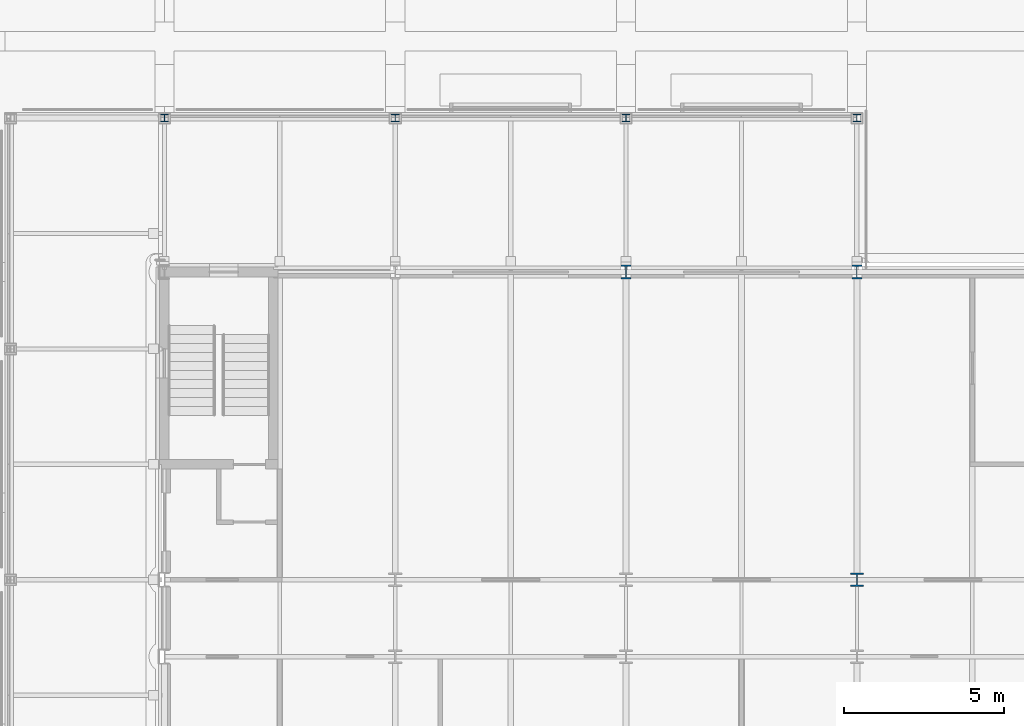
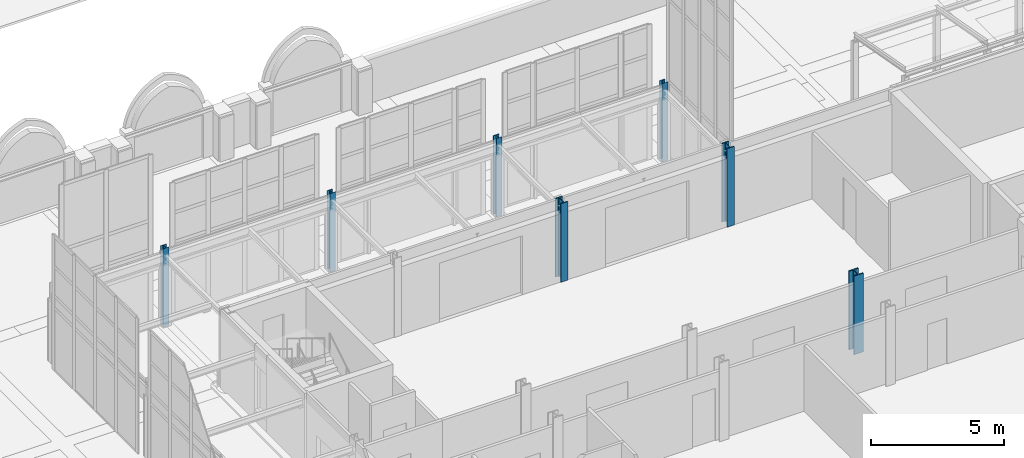
# One storey, part 15 of 143: 7 columns.
"""IFC4 building model written with IfcOpenShell, lengths in metres."""

from ifc_helpers import new_model, si_unit, direction, frame, origin, origin_2d, place, context, subcontext, project, spatial, i_section, extrude, material, material_profile, profile_set, type_object, element, save


model = new_model("IFC4")

# Units and contexts
model_context = context("Model", 3, precision=1e-05, world=origin(), true_north=direction((0.0, 1.0)))
body_context = subcontext(model_context, "Body", "Model", "MODEL_VIEW")
ifc_project = project(units=[si_unit("LENGTHUNIT", "METRE"), si_unit("AREAUNIT", "SQUARE_METRE"), si_unit("VOLUMEUNIT", "CUBIC_METRE"), si_unit("PLANEANGLEUNIT", "RADIAN"), si_unit("MASSUNIT", "GRAM", prefix="KILO")], contexts=[model_context])

# Site, building, storey
site_placement = place(None, origin())
site = spatial("IfcSite", under=ifc_project, at=site_placement, CompositionType="ELEMENT")
building_placement = place(site_placement, origin())
building = spatial("IfcBuilding", under=site, at=building_placement, Name="Kupolbacken Congress Centre", CompositionType="ELEMENT")
storey_placement = place(building_placement, frame((0.0, 0.0, 7.199951171875)))
storey = spatial("IfcBuildingStorey", under=building, at=storey_placement, Name="L02", CompositionType="ELEMENT", Elevation=7.199951171875)

# Columns
ifc_material_1 = material(Name="Steel S355", Category="steel")
ifc_material_profile_1 = material_profile(ifc_material_1, i_section(OverallWidth=0.408935546875, OverallDepth=0.425048828125, WebThickness=0.03271484375, FlangeThickness=0.052490234375, FilletRadius=0.014892578125, at=origin_2d()), Name="HD 400 x 421")
ifc_profile_set_1 = profile_set([ifc_material_profile_1], Name="Steel S355")
column_type_1 = type_object("IfcColumnType", Name="C01 column HD 400 x 421", PredefinedType="COLUMN", material=ifc_profile_set_1)
column_placement = place(storey_placement, frame((86.39990234375, 134.39990234375, 0.0), z_axis=(0.0, 0.0, 1.0), x_axis=(1.0, 0.0, 0.0)))
element("IfcColumn", 1, at=column_placement, inside=storey, type_object=column_type_1, Name="S/col/C-T-13U+4800/L02", PredefinedType="COLUMN", context=body_context, shape_type="SweptSolid", body=[
    extrude(i_section(OverallWidth=0.408935546875, OverallDepth=0.425048828125, WebThickness=0.03271484375, FlangeThickness=0.052490234375, FilletRadius=0.014892578125, at=origin_2d()), origin(), (0.0, 0.0, 1.0), 3.60009765625),
])
ifc_material_2 = material(Name="Steel S355", Category="steel")
ifc_material_profile_2 = material_profile(ifc_material_2, i_section(OverallWidth=0.306884765625, OverallDepth=0.431884765625, WebThickness=0.02099609375, FlangeThickness=0.0400390625, FilletRadius=0.027099609375, at=origin_2d()), Name="HEM 400")
ifc_profile_set_2 = profile_set([ifc_material_profile_2], Name="Steel S355")
column_type_2 = type_object("IfcColumnType", Name="C02 column HEM 400", PredefinedType="COLUMN", material=ifc_profile_set_2)
for number, where, z_axis, x_axis, name in (
    (2, (79.199951171875, 144.0, 0.0), (0.0, 0.0, 1.0), (1.0, 0.0, 0.0), "S/col/C-T-12W/L02"),
    (3, (86.39990234375, 144.0, 0.0), (0.0, 0.0, 1.0), (1.0, 0.0, 0.0), "S/col/C-T-13W/L02"),
):
    element("IfcColumn", number, at=place(storey_placement, frame(where, z_axis=z_axis, x_axis=x_axis)), inside=storey, type_object=column_type_2, Name=name, PredefinedType="COLUMN", context=body_context, shape_type="SweptSolid", body=[
        extrude(i_section(OverallWidth=0.306884765625, OverallDepth=0.431884765625, WebThickness=0.02099609375, FlangeThickness=0.0400390625, FilletRadius=0.027099609375, at=origin_2d()), origin(), (0.0, 0.0, 1.0), 3.60009765625),
    ])
ifc_material_3 = material(Name="Steel S355", Category="steel")
ifc_material_profile_3 = material_profile(ifc_material_3, i_section(OverallWidth=0.239990234375, OverallDepth=0.22998046875, WebThickness=0.007568359375, FlangeThickness=0.011962890625, FilletRadius=0.02099609375, at=origin_2d()), Name="HEA 240")
ifc_profile_set_3 = profile_set([ifc_material_profile_3], Name="Steel S355")
column_type_3 = type_object("IfcColumnType", Name="C10 column HEA 240", PredefinedType="COLUMN", material=ifc_profile_set_3)
for number, where, z_axis, x_axis, name in (
    (4, (64.800048828125, 148.800048828125, 0.0), (0.0, 0.0, 1.0), (1.0, 0.0, 0.0), "E/T/portico/N/col64.8/L02"),
    (5, (72.0, 148.800048828125, 0.0), (0.0, 0.0, 1.0), (1.0, 0.0, 0.0), "E/T/portico/N/col72/L02"),
    (6, (79.199951171875, 148.800048828125, 0.0), (0.0, 0.0, 1.0), (1.0, 0.0, 0.0), "E/T/portico/N/col79.2/L02"),
    (7, (86.39990234375, 148.800048828125, 0.0), (0.0, 0.0, 1.0), (1.0, 0.0, 0.0), "E/T/portico/N/col86.4/L02"),
):
    element("IfcColumn", number, at=place(storey_placement, frame(where, z_axis=z_axis, x_axis=x_axis)), inside=storey, type_object=column_type_3, Name=name, PredefinedType="COLUMN", context=body_context, shape_type="SweptSolid", body=[
        extrude(i_section(OverallWidth=0.239990234375, OverallDepth=0.22998046875, WebThickness=0.007568359375, FlangeThickness=0.011962890625, FilletRadius=0.02099609375, at=origin_2d()), origin(), (0.0, 0.0, 1.0), 3.60009765625),
    ])

save(model, "model.ifc")
